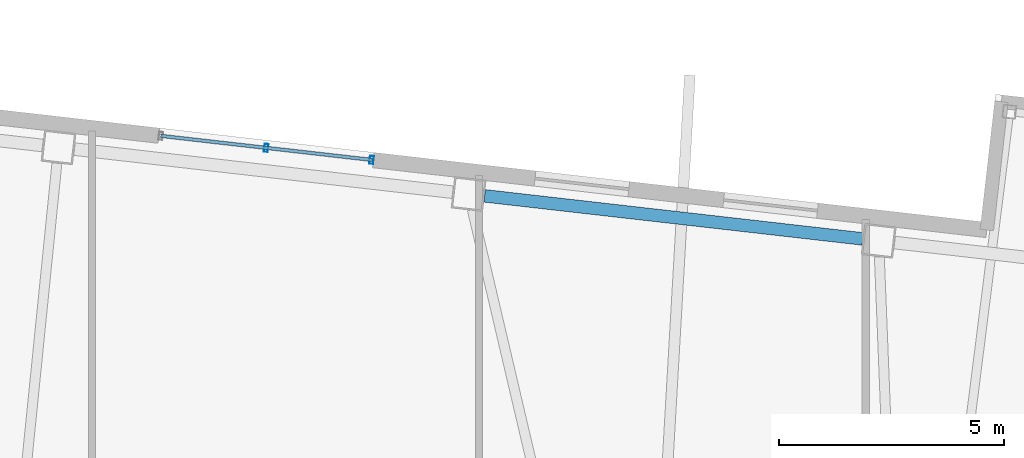
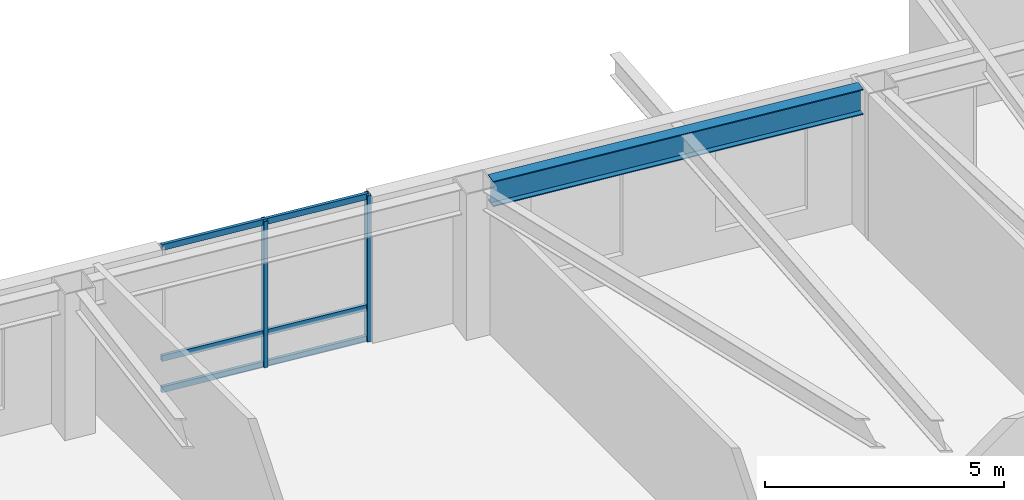
# One storey, part 10 of 21: 5 members, 1 beam, 1 element without a shape of its own.
"""IFC4 building model written with IfcOpenShell, lengths in metres."""

from ifc_helpers import new_model, si_unit, direction, frame, origin, origin_2d, place, context, subcontext, project, spatial, hollow_rectangle, i_section, extrude, material, layer, layer_set, material_profile, profile_set, type_object, element, aggregate, save


model = new_model("IFC4")

# Units and contexts
model_context = context("Model", 3, precision=1e-05, world=origin(), true_north=direction((0.0, 1.0)))
body_context = subcontext(model_context, "Body", "Model", "MODEL_VIEW")
ifc_project = project(units=[si_unit("LENGTHUNIT", "METRE"), si_unit("AREAUNIT", "SQUARE_METRE"), si_unit("VOLUMEUNIT", "CUBIC_METRE"), si_unit("PLANEANGLEUNIT", "RADIAN"), si_unit("MASSUNIT", "GRAM", prefix="KILO")], contexts=[model_context])

# Site, building, storey
site_placement = place(None, origin())
site = spatial("IfcSite", under=ifc_project, at=site_placement, CompositionType="ELEMENT")
building_placement = place(site_placement, origin())
building = spatial("IfcBuilding", under=site, at=building_placement, Name="Tavrogorsk Clinical Tower", CompositionType="ELEMENT")
storey_placement = place(building_placement, frame((0.0, 0.0, 121.39990234375)))
storey = spatial("IfcBuildingStorey", under=building, at=storey_placement, Name="L27", CompositionType="ELEMENT", Elevation=121.39990234375)

# Curtain wall, members
ifc_material_1 = material(Name="Anodised aluminium and triple IGU glazing", Category="aluminium")
ifc_layer = layer(ifc_material_1, 0.179931640625)
ifc_layer_set = layer_set([ifc_layer], Name="Anodised aluminium and triple IGU glazing")
curtain_wall_type = type_object("IfcCurtainWallType", Name="CW2_NorthSlot", PredefinedType="NOTDEFINED", material=ifc_layer_set)
curtain_wall_placement = place(storey_placement, origin())
curtain_wall = element("IfcCurtainWall", 1, at=curtain_wall_placement, inside=storey, type_object=curtain_wall_type, Name="L27 Curtain Wall CW-L27-N-SLOT-1", PredefinedType="NOTDEFINED")
ifc_material_2 = material(Name="Anodised aluminium alloy AW-6060", Category="aluminium")
ifc_material_profile_1 = material_profile(ifc_material_2, hollow_rectangle(XDim=0.090087890625, YDim=0.179931640625, WallThickness=0.00634765625, at=origin_2d()), Name="RHS-180x90x6.3")
ifc_profile_set_1 = profile_set([ifc_material_profile_1], Name="Anodised aluminium alloy AW-6060")
member_type_1 = type_object("IfcMemberType", Name="CwMullion_180x90", PredefinedType="MULLION", material=ifc_profile_set_1)
member_1_placement = place(storey_placement, frame((-1.586181640625, 23.443603515625, 0.0), z_axis=(0.0, 0.0, 1.0), x_axis=(-0.993571858269, 0.113203191016, 0.0)))
member_1 = element("IfcMember", 2, at=member_1_placement, type_object=member_type_1, Name="CW-L27-N-SLOT-1 Mullion 1", PredefinedType="MULLION", context=body_context, shape_type="SweptSolid", body=[
    extrude(hollow_rectangle(XDim=0.090087890625, YDim=0.179931640625, WallThickness=0.00634765625, at=origin_2d()), origin(), (0.0, 0.0, 1.0), 3.739990234375),
])
member_2_placement = place(storey_placement, frame((-3.929931640625, 23.71044921875, 0.0), z_axis=(0.0, 0.0, 1.0), x_axis=(-0.993571858269, 0.113203191016, 0.0)))
member_2 = element("IfcMember", 3, at=member_2_placement, type_object=member_type_1, Name="CW-L27-N-SLOT-1 Mullion 2", PredefinedType="MULLION", context=body_context, shape_type="SweptSolid", body=[
    extrude(hollow_rectangle(XDim=0.090087890625, YDim=0.179931640625, WallThickness=0.00634765625, at=origin_2d()), origin(), (0.0, 0.0, 1.0), 3.739990234375),
])
ifc_material_3 = material(Name="Anodised aluminium alloy AW-6060", Category="aluminium")
ifc_material_profile_2 = material_profile(ifc_material_3, hollow_rectangle(XDim=0.074951171875, YDim=0.14990234375, WallThickness=0.0048828125, at=origin_2d()), Name="RHS-150x75x5")
ifc_profile_set_2 = profile_set([ifc_material_profile_2], Name="Anodised aluminium alloy AW-6060")
member_type_2 = type_object("IfcMemberType", Name="CwTransom_150x75", PredefinedType="USERDEFINED", material=ifc_profile_set_2)
member_3_placement = place(storey_placement, frame((-1.586181640625, 23.443603515625, 0.050048828125), z_axis=(-0.993575136134, 0.11317441785, 0.0), x_axis=(-0.11317441785, -0.993575136134, 0.0)))
member_3 = element("IfcMember", 4, at=member_3_placement, type_object=member_type_2, Name="CW-L27-N-SLOT-1 Transom 1", ObjectType="TRANSOM", PredefinedType="USERDEFINED", context=body_context, shape_type="SweptSolid", body=[
    extrude(hollow_rectangle(XDim=0.074951171875, YDim=0.14990234375, WallThickness=0.0048828125, at=origin_2d()), origin(), (0.0, 0.0, 1.0), 4.7177734375),
])
member_4_placement = place(storey_placement, frame((-1.586181640625, 23.443603515625, 0.85009765625), z_axis=(-0.993575136134, 0.11317441785, 0.0), x_axis=(-0.11317441785, -0.993575136134, 0.0)))
member_4 = element("IfcMember", 5, at=member_4_placement, type_object=member_type_2, Name="CW-L27-N-SLOT-1 Transom 2", ObjectType="TRANSOM", PredefinedType="USERDEFINED", context=body_context, shape_type="SweptSolid", body=[
    extrude(hollow_rectangle(XDim=0.074951171875, YDim=0.14990234375, WallThickness=0.0048828125, at=origin_2d()), origin(), (0.0, 0.0, 1.0), 4.7177734375),
])
member_5_placement = place(storey_placement, frame((-1.586181640625, 23.443603515625, 3.690185546875), z_axis=(-0.993575136134, 0.11317441785, 0.0), x_axis=(-0.11317441785, -0.993575136134, 0.0)))
member_5 = element("IfcMember", 6, at=member_5_placement, type_object=member_type_2, Name="CW-L27-N-SLOT-1 Transom 3", ObjectType="TRANSOM", PredefinedType="USERDEFINED", context=body_context, shape_type="SweptSolid", body=[
    extrude(hollow_rectangle(XDim=0.074951171875, YDim=0.14990234375, WallThickness=0.0048828125, at=origin_2d()), origin(), (0.0, 0.0, 1.0), 4.7177734375),
])
aggregate(curtain_wall, [member_1, member_2, member_3, member_4, member_5])

# Beam
ifc_material_4 = material(Name="Structural steel S390", Category="steel")
ifc_material_profile_3 = material_profile(ifc_material_4, i_section(OverallWidth=0.280029296875, OverallDepth=0.64990234375, WebThickness=0.01611328125, FlangeThickness=0.02490234375, at=origin_2d()), Name="B-650x280x16x25")
ifc_profile_set_3 = profile_set([ifc_material_profile_3], Name="Structural steel S390")
beam_type = type_object("IfcBeamType", Name="SpandrelBeam_B650", PredefinedType="SPANDREL", material=ifc_profile_set_3)
beam_placement = place(storey_placement, frame((9.333984375, 21.68603515625, 3.4150390625), z_axis=(-0.99357306506, 0.113192598642, 0.0), x_axis=(-0.113192598642, -0.99357306506, 0.0)))
element("IfcBeam", 7, at=beam_placement, inside=storey, type_object=beam_type, Name="L27 Perimeter Spandrel N4-N5", PredefinedType="SPANDREL", context=body_context, shape_type="SweptSolid", body=[
    extrude(i_section(OverallWidth=0.280029296875, OverallDepth=0.64990234375, WebThickness=0.01611328125, FlangeThickness=0.02490234375, at=origin_2d()), origin(), (0.0, 0.0, 1.0), 8.46142578125),
])

save(model, "model.ifc")
